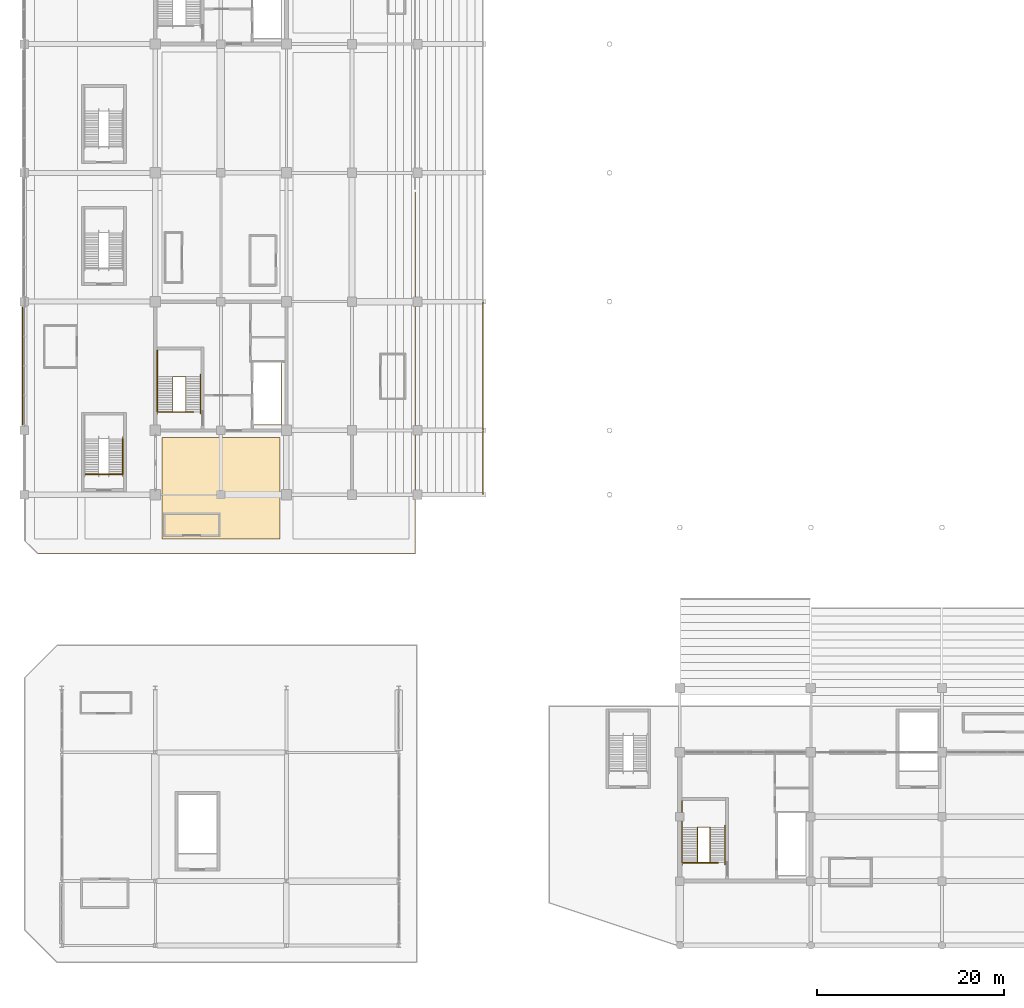
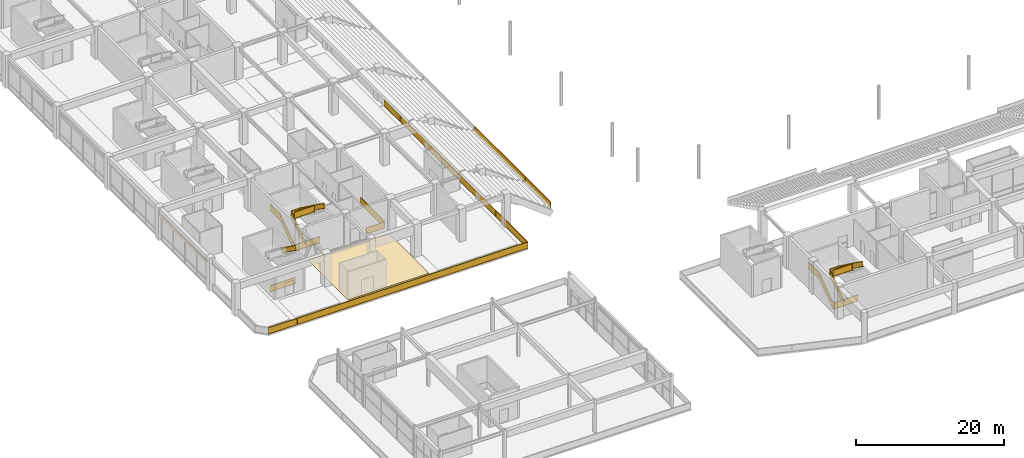
# One storey, part 104 of 117: 14 railings, 1 covering, 1 shading device.
"""IFC4 building model written with IfcOpenShell, lengths in metres."""

import ifcopenshell
import ifcopenshell.guid

model = None  # the IFC model being written
_history = None  # IfcOwnerHistory: only IFC2X3 demands one
_inside = {}  # id of a spatial element -> (the spatial element, [elements in it])
_under = {}  # id of a project, library or spatial element -> (it, [spatial elements below it])
_declared = {}  # id of a project -> (the project, [libraries it declares])
_typed = {}  # id of a type object -> (the type object, [elements of that type])
_made_of = {}  # id of a material, layer set ... -> (it, [elements and type objects made of it])


def new_model(schema):
    """Start an empty IFC model of exactly this schema.

    Asked for "IFC4X3", IfcOpenShell would pick the latest addendum, in which some entities
    have other attributes; the version numbers below select the first issue.
    IFC2X3 requires an IfcOwnerHistory on every rooted entity: one is made here for all.
    """
    global model, _history
    if schema == "IFC4X3":
        model = ifcopenshell.file(schema_version=(4, 3, 0, 0))
    else:
        model = ifcopenshell.file(schema=schema)
    _inside.clear()
    _under.clear()
    _declared.clear()
    _typed.clear()
    _made_of.clear()
    _history = None
    if model.schema == "IFC2X3":
        org = make("IfcOrganization", Name="unknown")
        user = make(
            "IfcPersonAndOrganization",
            ThePerson=make("IfcPerson", FamilyName="unknown"),
            TheOrganization=org,
        )
        app = make(
            "IfcApplication",
            ApplicationDeveloper=org,
            Version="unknown",
            ApplicationFullName="unknown",
            ApplicationIdentifier="unknown",
        )
        _history = make(
            "IfcOwnerHistory",
            OwningUser=user,
            OwningApplication=app,
            ChangeAction="ADDED",
            CreationDate=0,
        )
    return model


def make(cls, **values):
    """One entity of the class cls with the attributes given. An attribute that is None is left unset."""
    return model.create_entity(
        cls, **{name: value for name, value in values.items() if value is not None}
    )


def rooted(cls, **values):
    """An entity with a GlobalId (a new one), such as an element, a storey or a relation."""
    return make(cls, GlobalId=ifcopenshell.guid.new(), OwnerHistory=_history, **values)


def si_unit(unit_type, name, prefix=None):
    """IfcSIUnit, for example si_unit("LENGTHUNIT", "METRE", prefix="MILLI")."""
    return make("IfcSIUnit", UnitType=unit_type, Prefix=prefix, Name=name)


def assignment(units):
    """IfcUnitAssignment: the units of a project."""
    return None if units is None else make("IfcUnitAssignment", Units=units)


def point(xyz):
    """IfcCartesianPoint."""
    return None if xyz is None else make("IfcCartesianPoint", Coordinates=xyz)


def direction(xyz):
    """IfcDirection."""
    return None if xyz is None else make("IfcDirection", DirectionRatios=xyz)


def frame(location, z_axis=None, x_axis=None):
    """IfcAxis2Placement3D, a coordinate frame: its origin and axes. An axis left out is left unset."""
    return make(
        "IfcAxis2Placement3D",
        Location=point(location),
        Axis=direction(z_axis),
        RefDirection=direction(x_axis),
    )


def frame_2d(location, x_axis=None):
    """IfcAxis2Placement2D, a coordinate frame in the plane: its origin and x axis."""
    return make(
        "IfcAxis2Placement2D", Location=point(location), RefDirection=direction(x_axis)
    )


def origin():
    """The frame at (0, 0, 0) with its axes left unset."""
    return frame((0.0, 0.0, 0.0))


def origin_2d():
    """The frame at (0, 0) in the plane with its x axis left unset."""
    return frame_2d((0.0, 0.0))


def place(relative_to, where):
    """IfcLocalPlacement: puts the frame where relative to a parent placement (None: the world)."""
    return make(
        "IfcLocalPlacement", PlacementRelTo=relative_to, RelativePlacement=where
    )


def context(
    kind, dimensions, precision=None, world=None, true_north=None, identifier=None
):
    """IfcGeometricRepresentationContext, for example the 3D "Model" context."""
    return make(
        "IfcGeometricRepresentationContext",
        ContextIdentifier=identifier,
        ContextType=kind,
        CoordinateSpaceDimension=dimensions,
        Precision=precision,
        WorldCoordinateSystem=world,
        TrueNorth=true_north,
    )


def subcontext(parent, identifier, kind, view, scale=None):
    """IfcGeometricRepresentationSubContext, for example "Body" below "Model"."""
    return make(
        "IfcGeometricRepresentationSubContext",
        ContextIdentifier=identifier,
        ContextType=kind,
        ParentContext=parent,
        TargetScale=scale,
        TargetView=view,
    )


def project(units=None, contexts=None):
    """IfcProject with its units and contexts."""
    return rooted(
        "IfcProject",
        Name="project",
        RepresentationContexts=contexts,
        UnitsInContext=assignment(units),
    )


def spatial(cls, under=None, at=None, **own):
    """A site, building, storey or space (cls), placed at a placement, below another one or the project."""
    s = rooted(cls, ObjectPlacement=at, **own)
    if under is not None:
        _under.setdefault(under.id(), (under, []))[1].append(s)
    return s


def polyline(points):
    """IfcPolyline through the points."""
    return make("IfcPolyline", Points=[point(p) for p in points])


def profile(cls, at=None, kind="AREA", **sizes):
    """A parametric profile (cls). Its sizes go by their IFC names, for example OverallWidth=200.0."""
    return make(cls, ProfileType=kind, Position=at, **sizes)


def rectangle(**sizes):
    """IfcRectangleProfileDef."""
    return profile("IfcRectangleProfileDef", **sizes)


def outline(outer, holes=None, kind="AREA"):
    """IfcArbitraryClosedProfileDef: a profile drawn as a closed curve; with holes, ...WithVoids."""
    if holes is None:
        return make("IfcArbitraryClosedProfileDef", ProfileType=kind, OuterCurve=outer)
    return make(
        "IfcArbitraryProfileDefWithVoids",
        ProfileType=kind,
        OuterCurve=outer,
        InnerCurves=holes,
    )


def extrude(swept, where, along, depth):
    """IfcExtrudedAreaSolid: the profile swept, set in the frame where, extruded along a direction by depth."""
    return make(
        "IfcExtrudedAreaSolid",
        SweptArea=swept,
        Position=where,
        ExtrudedDirection=direction(along),
        Depth=depth,
    )


def shape(context_of_items, identifier, shape_type, items):
    """IfcShapeRepresentation: the items that make up one representation, for example the "Body"."""
    return make(
        "IfcShapeRepresentation",
        ContextOfItems=context_of_items,
        RepresentationIdentifier=identifier,
        RepresentationType=shape_type,
        Items=items,
    )


def material(Name=None, Category=None):
    """IfcMaterial."""
    return make("IfcMaterial", Name=Name, Category=Category)


def layer(
    of_material, thickness, ventilated=None, Name=None, Category=None, Priority=None
):
    """IfcMaterialLayer: one layer of a wall or slab, of a material (None: an air gap)."""
    return make(
        "IfcMaterialLayer",
        Material=of_material,
        LayerThickness=thickness,
        IsVentilated=ventilated,
        Name=Name,
        Category=Category,
        Priority=Priority,
    )


def layer_set(layers, Name=None):
    """IfcMaterialLayerSet."""
    return make("IfcMaterialLayerSet", MaterialLayers=layers, LayerSetName=Name)


def made_of(thing, what):
    """Note that an element or type object is made of a material, layer set ...; save() writes the relation."""
    if what is not None:
        _made_of.setdefault(what.id(), (what, []))[1].append(thing)
    return thing


def type_object(cls, material=None, **own):
    """A type object (cls), such as IfcWallType, which elements share."""
    return made_of(rooted(cls, **own), material)


def element(
    cls,
    number,
    at=None,
    inside=None,
    cuts=None,
    type_object=None,
    material=None,
    context=None,
    identifier="Body",
    shape_type=None,
    held_by="IfcProductDefinitionShape",
    body=None,
    shapes=None,
    **own,
):
    """One element of the class cls, such as IfcWall. Its Tag is "e" and its number.

    at: its placement. inside: the storey or other place that contains it. cuts: it is an
    opening in that element (IfcRelVoidsElement). A single representation is given by context,
    identifier, shape_type and body (its items); several are given by shapes. held_by: the class
    of the entity that holds the representations. save() writes the other relations.
    """
    e = rooted(cls, Tag="e%d" % number, ObjectPlacement=at, **own)
    if body is not None:
        shapes = [shape(context, identifier, shape_type, body)]
    if shapes is not None:
        e.Representation = make(held_by, Representations=shapes)
    if inside is not None:
        _inside.setdefault(inside.id(), (inside, []))[1].append(e)
    if cuts is not None:
        rooted(
            "IfcRelVoidsElement", RelatingBuildingElement=cuts, RelatedOpeningElement=e
        )
    if type_object is not None:
        _typed.setdefault(type_object.id(), (type_object, []))[1].append(e)
    return made_of(e, material)


def aggregate(whole, parts):
    """IfcRelAggregates: a whole, such as a stair, and the parts it consists of."""
    return rooted("IfcRelAggregates", RelatingObject=whole, RelatedObjects=parts)


def save(model, path):
    """Write the relations noted so far, then the file.

    IfcRelAggregates (storeys below a building ...), IfcRelContainedInSpatialStructure (elements
    in a storey), IfcRelDefinesByType, IfcRelAssociatesMaterial and IfcRelDeclares: one each for
    every whole, place, type object, material and project.
    """
    for whole, parts in _under.values():
        aggregate(whole, parts)
    for where, things in _inside.values():
        rooted(
            "IfcRelContainedInSpatialStructure",
            RelatedElements=things,
            RelatingStructure=where,
        )
    for kind, things in _typed.values():
        rooted("IfcRelDefinesByType", RelatedObjects=things, RelatingType=kind)
    for what, things in _made_of.values():
        rooted("IfcRelAssociatesMaterial", RelatedObjects=things, RelatingMaterial=what)
    for by, libraries in _declared.values():
        rooted("IfcRelDeclares", RelatingContext=by, RelatedDefinitions=libraries)
    model.write(path)


model = new_model("IFC4")

# Units and contexts
model_context = context("Model", 3, precision=1e-05, world=origin(), true_north=direction((0.0, 1.0)))
body_context = subcontext(model_context, "Body", "Model", "MODEL_VIEW")
ifc_project = project(units=[si_unit("LENGTHUNIT", "METRE"), si_unit("AREAUNIT", "SQUARE_METRE"), si_unit("VOLUMEUNIT", "CUBIC_METRE"), si_unit("PLANEANGLEUNIT", "RADIAN"), si_unit("MASSUNIT", "GRAM", prefix="KILO")], contexts=[model_context])

# Site, building, storey
site_placement = place(None, origin())
site = spatial("IfcSite", under=ifc_project, at=site_placement, CompositionType="ELEMENT")
building_placement = place(site_placement, origin())
building = spatial("IfcBuilding", under=site, at=building_placement, Name="Linyun Crest Stadium", CompositionType="ELEMENT")
storey_placement = place(building_placement, frame((0.0, 0.0, 6.0)))
storey = spatial("IfcBuildingStorey", under=building, at=storey_placement, Name="L02", CompositionType="ELEMENT", Elevation=6.0)

# Covering
ifc_material_1 = material(Name="Terrazzo concourse and hospitality floor finish")
ifc_layer_1 = layer(ifc_material_1, 0.02197265625)
ifc_layer_set_1 = layer_set([ifc_layer_1], Name="Terrazzo concourse and hospitality floor finish")
covering_type = type_object("IfcCoveringType", Name="FLR02", PredefinedType="FLOORING", material=ifc_layer_set_1)
covering_placement = place(storey_placement, origin())
element("IfcCovering", 1, at=covering_placement, inside=storey, type_object=covering_type, Name="Terrazzo flooring FLR02 21", PredefinedType="FLOORING", context=body_context, shape_type="SweptSolid", body=[
    extrude(outline(polyline([(-83.300048828125, -50.699951171875), (-70.699951171875, -50.699951171875), (-70.699951171875, -39.89990234375), (-83.300048828125, -39.89990234375), (-83.300048828125, -50.699951171875)])), origin(), (0.0, 0.0, 1.0), 0.02197265625),
])

# Railings
ifc_material_2 = material(Name="Galvanized and powder-coated steel bowl safety barrier", Category="steel")
railing_type_1 = type_object("IfcRailingType", Name="GR02", PredefinedType="GUARDRAIL", material=ifc_material_2)
railing_1_placement = place(storey_placement, frame((-49.0, -45.919921875, 0.199951171875)))
element("IfcRailing", 2, at=railing_1_placement, inside=storey, type_object=railing_type_1, Name="Bowl front safety guard GR02 2", PredefinedType="GUARDRAIL", context=body_context, shape_type="SweptSolid", body=[
    extrude(rectangle(XDim=0.06005859375, YDim=0.06005859375, at=origin_2d()), frame((0.0, 0.0, 1.090087890625), z_axis=(0.0, 1.0, 0.0), x_axis=(-1.0, 0.0, 0.0)), (0.0, 0.0, 1.0), 6.71484375),
    extrude(rectangle(XDim=0.030029296875, YDim=1.0, at=origin_2d()), frame((0.0, 0.0, 0.56005859375), z_axis=(0.0, 1.0, 0.0), x_axis=(-1.0, 0.0, 0.0)), (0.0, 0.0, 1.0), 6.71484375),
    extrude(rectangle(XDim=0.06005859375, YDim=0.06005859375, at=origin_2d()), frame((0.0, 0.0, 0.030029296875), z_axis=(0.0, 1.0, 0.0), x_axis=(-1.0, 0.0, 0.0)), (0.0, 0.0, 1.0), 6.71484375),
    extrude(rectangle(XDim=0.050048828125, YDim=0.050048828125, at=origin_2d()), origin(), (0.0, 0.0, 1.0), 1.1201171875),
    extrude(rectangle(XDim=0.050048828125, YDim=0.050048828125, at=origin_2d()), frame((0.0, 2.23828125, 0.0)), (0.0, 0.0, 1.0), 1.1201171875),
    extrude(rectangle(XDim=0.050048828125, YDim=0.050048828125, at=origin_2d()), frame((0.0, 4.4765625, 0.0)), (0.0, 0.0, 1.0), 1.1201171875),
    extrude(rectangle(XDim=0.050048828125, YDim=0.050048828125, at=origin_2d()), frame((0.0, 6.71484375, 0.0)), (0.0, 0.0, 1.0), 1.1201171875),
])
railing_2_placement = place(storey_placement, frame((-49.0, -39.044921875, 0.199951171875)))
element("IfcRailing", 3, at=railing_2_placement, inside=storey, type_object=railing_type_1, Name="Bowl front safety guard GR02 10", PredefinedType="GUARDRAIL", context=body_context, shape_type="SweptSolid", body=[
    extrude(rectangle(XDim=0.06005859375, YDim=0.06005859375, at=origin_2d()), frame((0.0, 0.0, 1.090087890625), z_axis=(0.0, 1.0, 0.0), x_axis=(-1.0, 0.0, 0.0)), (0.0, 0.0, 1.0), 13.58984375),
    extrude(rectangle(XDim=0.030029296875, YDim=1.0, at=origin_2d()), frame((0.0, 0.0, 0.56005859375), z_axis=(0.0, 1.0, 0.0), x_axis=(-1.0, 0.0, 0.0)), (0.0, 0.0, 1.0), 13.58984375),
    extrude(rectangle(XDim=0.06005859375, YDim=0.06005859375, at=origin_2d()), frame((0.0, 0.0, 0.030029296875), z_axis=(0.0, 1.0, 0.0), x_axis=(-1.0, 0.0, 0.0)), (0.0, 0.0, 1.0), 13.58984375),
    extrude(rectangle(XDim=0.050048828125, YDim=0.050048828125, at=origin_2d()), origin(), (0.0, 0.0, 1.0), 1.1201171875),
    extrude(rectangle(XDim=0.050048828125, YDim=0.050048828125, at=origin_2d()), frame((0.0, 2.264892578125, 0.0)), (0.0, 0.0, 1.0), 1.1201171875),
    extrude(rectangle(XDim=0.050048828125, YDim=0.050048828125, at=origin_2d()), frame((0.0, 4.530029296875, 0.0)), (0.0, 0.0, 1.0), 1.1201171875),
    extrude(rectangle(XDim=0.050048828125, YDim=0.050048828125, at=origin_2d()), frame((0.0, 6.794921875, 0.0)), (0.0, 0.0, 1.0), 1.1201171875),
    extrude(rectangle(XDim=0.050048828125, YDim=0.050048828125, at=origin_2d()), frame((0.0, 9.059814453125, 0.0)), (0.0, 0.0, 1.0), 1.1201171875),
    extrude(rectangle(XDim=0.050048828125, YDim=0.050048828125, at=origin_2d()), frame((0.0, 11.324951171875, 0.0)), (0.0, 0.0, 1.0), 1.1201171875),
    extrude(rectangle(XDim=0.050048828125, YDim=0.050048828125, at=origin_2d()), frame((0.0, 13.58984375, 0.0)), (0.0, 0.0, 1.0), 1.1201171875),
])
railing_3_placement = place(storey_placement, frame((-56.260009765625, -13.669921875, 0.0)))
element("IfcRailing", 4, at=railing_3_placement, inside=storey, type_object=railing_type_1, Name="Slab edge balustrade GR02 21", PredefinedType="GUARDRAIL", context=body_context, shape_type="SweptSolid", body=[
    extrude(rectangle(XDim=0.06005859375, YDim=0.06005859375, at=origin_2d()), frame((0.0, 0.0, 1.090087890625), z_axis=(0.0, -1.0, 0.0), x_axis=(1.0, 0.0, 0.0)), (0.0, 0.0, 1.0), 38.60498046875),
    extrude(rectangle(XDim=0.030029296875, YDim=1.0, at=origin_2d()), frame((0.0, 0.0, 0.56005859375), z_axis=(0.0, -1.0, 0.0), x_axis=(1.0, 0.0, 0.0)), (0.0, 0.0, 1.0), 38.60498046875),
    extrude(rectangle(XDim=0.06005859375, YDim=0.06005859375, at=origin_2d()), frame((0.0, 0.0, 0.030029296875), z_axis=(0.0, -1.0, 0.0), x_axis=(1.0, 0.0, 0.0)), (0.0, 0.0, 1.0), 38.60498046875),
    extrude(rectangle(XDim=0.06005859375, YDim=0.06005859375, at=origin_2d()), frame((0.0, -38.60498046875, 1.090087890625), z_axis=(-1.0, 0.0, 0.0), x_axis=(0.0, -1.0, 0.0)), (0.0, 0.0, 1.0), 40.31494140625),
    extrude(rectangle(XDim=0.030029296875, YDim=1.0, at=origin_2d()), frame((0.0, -38.60498046875, 0.56005859375), z_axis=(-1.0, 0.0, 0.0), x_axis=(0.0, -1.0, 0.0)), (0.0, 0.0, 1.0), 40.31494140625),
    extrude(rectangle(XDim=0.06005859375, YDim=0.06005859375, at=origin_2d()), frame((0.0, -38.60498046875, 0.030029296875), z_axis=(-1.0, 0.0, 0.0), x_axis=(0.0, -1.0, 0.0)), (0.0, 0.0, 1.0), 40.31494140625),
    extrude(rectangle(XDim=0.050048828125, YDim=0.050048828125, at=origin_2d()), origin(), (0.0, 0.0, 1.0), 1.1201171875),
    extrude(rectangle(XDim=0.050048828125, YDim=0.050048828125, at=origin_2d()), frame((0.0, -4.28955078125, 0.0)), (0.0, 0.0, 1.0), 1.1201171875),
    extrude(rectangle(XDim=0.050048828125, YDim=0.050048828125, at=origin_2d()), frame((0.0, -8.578857421875, 0.0)), (0.0, 0.0, 1.0), 1.1201171875),
    extrude(rectangle(XDim=0.050048828125, YDim=0.050048828125, at=origin_2d()), frame((0.0, -12.868408203125, 0.0)), (0.0, 0.0, 1.0), 1.1201171875),
    extrude(rectangle(XDim=0.050048828125, YDim=0.050048828125, at=origin_2d()), frame((0.0, -17.15771484375, 0.0)), (0.0, 0.0, 1.0), 1.1201171875),
    extrude(rectangle(XDim=0.050048828125, YDim=0.050048828125, at=origin_2d()), frame((0.0, -21.447265625, 0.0)), (0.0, 0.0, 1.0), 1.1201171875),
    extrude(rectangle(XDim=0.050048828125, YDim=0.050048828125, at=origin_2d()), frame((0.0, -25.736572265625, 0.0)), (0.0, 0.0, 1.0), 1.1201171875),
    extrude(rectangle(XDim=0.050048828125, YDim=0.050048828125, at=origin_2d()), frame((0.0, -30.026123046875, 0.0)), (0.0, 0.0, 1.0), 1.1201171875),
    extrude(rectangle(XDim=0.050048828125, YDim=0.050048828125, at=origin_2d()), frame((0.0, -34.3154296875, 0.0)), (0.0, 0.0, 1.0), 1.1201171875),
    extrude(rectangle(XDim=0.050048828125, YDim=0.050048828125, at=origin_2d()), frame((0.0, -38.60498046875, 0.0)), (0.0, 0.0, 1.0), 1.1201171875),
    extrude(rectangle(XDim=0.050048828125, YDim=0.050048828125, at=origin_2d()), frame((-4.4794921875, -38.60498046875, 0.0)), (0.0, 0.0, 1.0), 1.1201171875),
    extrude(rectangle(XDim=0.050048828125, YDim=0.050048828125, at=origin_2d()), frame((-8.958984375, -38.60498046875, 0.0)), (0.0, 0.0, 1.0), 1.1201171875),
    extrude(rectangle(XDim=0.050048828125, YDim=0.050048828125, at=origin_2d()), frame((-13.438232421875, -38.60498046875, 0.0)), (0.0, 0.0, 1.0), 1.1201171875),
    extrude(rectangle(XDim=0.050048828125, YDim=0.050048828125, at=origin_2d()), frame((-17.917724609375, -38.60498046875, 0.0)), (0.0, 0.0, 1.0), 1.1201171875),
    extrude(rectangle(XDim=0.050048828125, YDim=0.050048828125, at=origin_2d()), frame((-22.397216796875, -38.60498046875, 0.0)), (0.0, 0.0, 1.0), 1.1201171875),
    extrude(rectangle(XDim=0.050048828125, YDim=0.050048828125, at=origin_2d()), frame((-26.876708984375, -38.60498046875, 0.0)), (0.0, 0.0, 1.0), 1.1201171875),
    extrude(rectangle(XDim=0.050048828125, YDim=0.050048828125, at=origin_2d()), frame((-31.35595703125, -38.60498046875, 0.0)), (0.0, 0.0, 1.0), 1.1201171875),
    extrude(rectangle(XDim=0.050048828125, YDim=0.050048828125, at=origin_2d()), frame((-35.83544921875, -38.60498046875, 0.0)), (0.0, 0.0, 1.0), 1.1201171875),
    extrude(rectangle(XDim=0.050048828125, YDim=0.050048828125, at=origin_2d()), frame((-40.31494140625, -38.60498046875, 0.0)), (0.0, 0.0, 1.0), 1.1201171875),
])
railing_4_placement = place(storey_placement, frame((-73.419921875, -38.534912109375, 0.0)))
element("IfcRailing", 5, at=railing_4_placement, inside=storey, type_object=railing_type_1, Name="Slab edge balustrade GR02 22", PredefinedType="GUARDRAIL", context=body_context, shape_type="SweptSolid", body=[
    extrude(rectangle(XDim=0.06005859375, YDim=0.06005859375, at=origin_2d()), frame((0.0, 0.0, 1.090087890625), z_axis=(1.0, 0.0, 0.0), x_axis=(0.0, 1.0, 0.0)), (0.0, 0.0, 1.0), 2.8798828125),
    extrude(rectangle(XDim=0.030029296875, YDim=1.0, at=origin_2d()), frame((0.0, 0.0, 0.56005859375), z_axis=(1.0, 0.0, 0.0), x_axis=(0.0, 1.0, 0.0)), (0.0, 0.0, 1.0), 2.8798828125),
    extrude(rectangle(XDim=0.06005859375, YDim=0.06005859375, at=origin_2d()), frame((0.0, 0.0, 0.030029296875), z_axis=(1.0, 0.0, 0.0), x_axis=(0.0, 1.0, 0.0)), (0.0, 0.0, 1.0), 2.8798828125),
    extrude(rectangle(XDim=0.06005859375, YDim=0.06005859375, at=origin_2d()), frame((2.8798828125, 0.0, 1.090087890625), z_axis=(0.0, 1.0, 0.0), x_axis=(-1.0, 0.0, 0.0)), (0.0, 0.0, 1.0), 6.5498046875),
    extrude(rectangle(XDim=0.030029296875, YDim=1.0, at=origin_2d()), frame((2.8798828125, 0.0, 0.56005859375), z_axis=(0.0, 1.0, 0.0), x_axis=(-1.0, 0.0, 0.0)), (0.0, 0.0, 1.0), 6.5498046875),
    extrude(rectangle(XDim=0.06005859375, YDim=0.06005859375, at=origin_2d()), frame((2.8798828125, 0.0, 0.030029296875), z_axis=(0.0, 1.0, 0.0), x_axis=(-1.0, 0.0, 0.0)), (0.0, 0.0, 1.0), 6.5498046875),
    extrude(rectangle(XDim=0.050048828125, YDim=0.050048828125, at=origin_2d()), origin(), (0.0, 0.0, 1.0), 1.1201171875),
    extrude(rectangle(XDim=0.050048828125, YDim=0.050048828125, at=origin_2d()), frame((2.8798828125, 0.0, 0.0)), (0.0, 0.0, 1.0), 1.1201171875),
    extrude(rectangle(XDim=0.050048828125, YDim=0.050048828125, at=origin_2d()), frame((2.8798828125, 3.27490234375, 0.0)), (0.0, 0.0, 1.0), 1.1201171875),
    extrude(rectangle(XDim=0.050048828125, YDim=0.050048828125, at=origin_2d()), frame((2.8798828125, 6.5498046875, 0.0)), (0.0, 0.0, 1.0), 1.1201171875),
])
railing_5_placement = place(storey_placement, frame((-83.68505859375, -37.1650390625, 0.0)))
element("IfcRailing", 6, at=railing_5_placement, inside=storey, type_object=railing_type_1, Name="Slab edge balustrade GR02 23", PredefinedType="GUARDRAIL", context=body_context, shape_type="SweptSolid", body=[
    extrude(rectangle(XDim=0.06005859375, YDim=0.06005859375, at=origin_2d()), frame((0.0, 0.0, 1.090087890625), z_axis=(1.0, 0.0, 0.0), x_axis=(0.0, 1.0, 0.0)), (0.0, 0.0, 1.0), 3.78515625),
    extrude(rectangle(XDim=0.030029296875, YDim=1.0, at=origin_2d()), frame((0.0, 0.0, 0.56005859375), z_axis=(1.0, 0.0, 0.0), x_axis=(0.0, 1.0, 0.0)), (0.0, 0.0, 1.0), 3.78515625),
    extrude(rectangle(XDim=0.06005859375, YDim=0.06005859375, at=origin_2d()), frame((0.0, 0.0, 0.030029296875), z_axis=(1.0, 0.0, 0.0), x_axis=(0.0, 1.0, 0.0)), (0.0, 0.0, 1.0), 3.78515625),
    extrude(rectangle(XDim=0.050048828125, YDim=0.050048828125, at=origin_2d()), origin(), (0.0, 0.0, 1.0), 1.1201171875),
    extrude(rectangle(XDim=0.050048828125, YDim=0.050048828125, at=origin_2d()), frame((3.78515625, 0.0, 0.0)), (0.0, 0.0, 1.0), 1.1201171875),
])
railing_6_placement = place(storey_placement, frame((-91.4599609375, -43.81005859375, 0.0)))
element("IfcRailing", 7, at=railing_6_placement, inside=storey, type_object=railing_type_1, Name="Slab edge balustrade GR02 24", PredefinedType="GUARDRAIL", context=body_context, shape_type="SweptSolid", body=[
    extrude(rectangle(XDim=0.06005859375, YDim=0.06005859375, at=origin_2d()), frame((0.0, 0.0, 1.090087890625), z_axis=(1.0, 0.0, 0.0), x_axis=(0.0, 1.0, 0.0)), (0.0, 0.0, 1.0), 3.919921875),
    extrude(rectangle(XDim=0.030029296875, YDim=1.0, at=origin_2d()), frame((0.0, 0.0, 0.56005859375), z_axis=(1.0, 0.0, 0.0), x_axis=(0.0, 1.0, 0.0)), (0.0, 0.0, 1.0), 3.919921875),
    extrude(rectangle(XDim=0.06005859375, YDim=0.06005859375, at=origin_2d()), frame((0.0, 0.0, 0.030029296875), z_axis=(1.0, 0.0, 0.0), x_axis=(0.0, 1.0, 0.0)), (0.0, 0.0, 1.0), 3.919921875),
    extrude(rectangle(XDim=0.050048828125, YDim=0.050048828125, at=origin_2d()), origin(), (0.0, 0.0, 1.0), 1.1201171875),
    extrude(rectangle(XDim=0.050048828125, YDim=0.050048828125, at=origin_2d()), frame((3.919921875, 0.0, 0.0)), (0.0, 0.0, 1.0), 1.1201171875),
])
railing_7_placement = place(storey_placement, frame((-27.635009765625, -85.2900390625, 0.0)))
element("IfcRailing", 8, at=railing_7_placement, inside=storey, type_object=railing_type_1, Name="Slab edge balustrade GR02 259", PredefinedType="GUARDRAIL", context=body_context, shape_type="SweptSolid", body=[
    extrude(rectangle(XDim=0.06005859375, YDim=0.06005859375, at=origin_2d()), frame((0.0, 0.0, 1.090087890625), z_axis=(1.0, 0.0, 0.0), x_axis=(0.0, 1.0, 0.0)), (0.0, 0.0, 1.0), 3.735107421875),
    extrude(rectangle(XDim=0.030029296875, YDim=1.0, at=origin_2d()), frame((0.0, 0.0, 0.56005859375), z_axis=(1.0, 0.0, 0.0), x_axis=(0.0, 1.0, 0.0)), (0.0, 0.0, 1.0), 3.735107421875),
    extrude(rectangle(XDim=0.06005859375, YDim=0.06005859375, at=origin_2d()), frame((0.0, 0.0, 0.030029296875), z_axis=(1.0, 0.0, 0.0), x_axis=(0.0, 1.0, 0.0)), (0.0, 0.0, 1.0), 3.735107421875),
    extrude(rectangle(XDim=0.050048828125, YDim=0.050048828125, at=origin_2d()), origin(), (0.0, 0.0, 1.0), 1.1201171875),
    extrude(rectangle(XDim=0.050048828125, YDim=0.050048828125, at=origin_2d()), frame((3.735107421875, 0.0, 0.0)), (0.0, 0.0, 1.0), 1.1201171875),
])
ifc_material_3 = material(Name="Painted steel stairwell safety guard", Category="steel")
railing_type_2 = type_object("IfcRailingType", Name="GR03", PredefinedType="GUARDRAIL", material=ifc_material_3)
railing_8_placement = place(storey_placement, frame((-83.794921875, -37.135009765625, 0.0)))
element("IfcRailing", 9, at=railing_8_placement, inside=storey, type_object=railing_type_2, Name="STR-01-L02 outer guard", PredefinedType="GUARDRAIL", context=body_context, shape_type="SweptSolid", body=[
    extrude(rectangle(XDim=0.06005859375, YDim=0.06005859375, at=origin_2d()), frame((0.0, 0.0, 1.090087890625), z_axis=(0.0, 0.811539352079, 0.584297766578), x_axis=(-1.0, 0.0, 0.0)), (0.0, 0.0, 1.0), 4.620849609375),
    extrude(rectangle(XDim=0.030029296875, YDim=1.0, at=origin_2d()), frame((0.0, 0.0, 0.56005859375), z_axis=(0.0, 0.811539352079, 0.584297766578), x_axis=(-1.0, 0.0, 0.0)), (0.0, 0.0, 1.0), 4.620849609375),
    extrude(rectangle(XDim=0.06005859375, YDim=0.06005859375, at=origin_2d()), frame((0.0, 0.0, 0.030029296875), z_axis=(0.0, 0.811539352079, 0.584297766578), x_axis=(-1.0, 0.0, 0.0)), (0.0, 0.0, 1.0), 4.620849609375),
    extrude(rectangle(XDim=0.06005859375, YDim=0.06005859375, at=origin_2d()), frame((0.0, 3.75, 3.7900390625), z_axis=(0.0, 1.0, 0.0), x_axis=(-1.0, 0.0, 0.0)), (0.0, 0.0, 1.0), 2.830078125),
    extrude(rectangle(XDim=0.030029296875, YDim=1.0, at=origin_2d()), frame((0.0, 3.75, 3.260009765625), z_axis=(0.0, 1.0, 0.0), x_axis=(-1.0, 0.0, 0.0)), (0.0, 0.0, 1.0), 2.830078125),
    extrude(rectangle(XDim=0.06005859375, YDim=0.06005859375, at=origin_2d()), frame((0.0, 3.75, 2.72998046875), z_axis=(0.0, 1.0, 0.0), x_axis=(-1.0, 0.0, 0.0)), (0.0, 0.0, 1.0), 2.830078125),
    extrude(rectangle(XDim=0.050048828125, YDim=0.050048828125, at=origin_2d()), origin(), (0.0, 0.0, 1.0), 1.1201171875),
    extrude(rectangle(XDim=0.050048828125, YDim=0.050048828125, at=origin_2d()), frame((0.0, 1.25, 0.89990234375)), (0.0, 0.0, 1.0), 1.1201171875),
    extrude(rectangle(XDim=0.050048828125, YDim=0.050048828125, at=origin_2d()), frame((0.0, 2.5, 1.800048828125)), (0.0, 0.0, 1.0), 1.1201171875),
    extrude(rectangle(XDim=0.050048828125, YDim=0.050048828125, at=origin_2d()), frame((0.0, 3.75, 2.699951171875)), (0.0, 0.0, 1.0), 1.1201171875),
    extrude(rectangle(XDim=0.050048828125, YDim=0.050048828125, at=origin_2d()), frame((0.0, 5.1650390625, 2.699951171875)), (0.0, 0.0, 1.0), 1.1201171875),
    extrude(rectangle(XDim=0.050048828125, YDim=0.050048828125, at=origin_2d()), frame((0.0, 6.580078125, 2.699951171875)), (0.0, 0.0, 1.0), 1.1201171875),
])
railing_9_placement = place(storey_placement, frame((-82.155029296875, -37.155029296875, 0.0)))
element("IfcRailing", 10, at=railing_9_placement, inside=storey, type_object=railing_type_2, Name="STR-01-L02 inner well guard", PredefinedType="GUARDRAIL", context=body_context, shape_type="SweptSolid", body=[
    extrude(rectangle(XDim=0.06005859375, YDim=0.06005859375, at=origin_2d()), frame((0.0, 0.0, 1.090087890625), z_axis=(0.0, 0.813010693788, 0.582248754216), x_axis=(-1.0, 0.0, 0.0)), (0.0, 0.0, 1.0), 4.63720703125),
    extrude(rectangle(XDim=0.030029296875, YDim=1.0, at=origin_2d()), frame((0.0, 0.0, 0.56005859375), z_axis=(0.0, 0.813010693788, 0.582248754216), x_axis=(-1.0, 0.0, 0.0)), (0.0, 0.0, 1.0), 4.63720703125),
    extrude(rectangle(XDim=0.06005859375, YDim=0.06005859375, at=origin_2d()), frame((0.0, 0.0, 0.030029296875), z_axis=(0.0, 0.813010693788, 0.582248754216), x_axis=(-1.0, 0.0, 0.0)), (0.0, 0.0, 1.0), 4.63720703125),
    extrude(rectangle(XDim=0.06005859375, YDim=0.06005859375, at=origin_2d()), frame((0.0, 3.77001953125, 3.7900390625), z_axis=(1.0, 0.0, 0.0), x_axis=(0.0, 1.0, 0.0)), (0.0, 0.0, 1.0), 1.385009765625),
    extrude(rectangle(XDim=0.030029296875, YDim=1.0, at=origin_2d()), frame((0.0, 3.77001953125, 3.260009765625), z_axis=(1.0, 0.0, 0.0), x_axis=(0.0, 1.0, 0.0)), (0.0, 0.0, 1.0), 1.385009765625),
    extrude(rectangle(XDim=0.06005859375, YDim=0.06005859375, at=origin_2d()), frame((0.0, 3.77001953125, 2.72998046875), z_axis=(1.0, 0.0, 0.0), x_axis=(0.0, 1.0, 0.0)), (0.0, 0.0, 1.0), 1.385009765625),
    extrude(rectangle(XDim=0.06005859375, YDim=0.06005859375, at=origin_2d()), frame((1.385009765625, 3.77001953125, 3.7900390625), z_axis=(0.0, -0.813010693788, 0.582248754216), x_axis=(1.0, 0.0, 0.0)), (0.0, 0.0, 1.0), 4.63720703125),
    extrude(rectangle(XDim=0.030029296875, YDim=1.0, at=origin_2d()), frame((1.385009765625, 3.77001953125, 3.260009765625), z_axis=(0.0, -0.813010693788, 0.582248754216), x_axis=(1.0, 0.0, 0.0)), (0.0, 0.0, 1.0), 4.63720703125),
    extrude(rectangle(XDim=0.06005859375, YDim=0.06005859375, at=origin_2d()), frame((1.385009765625, 3.77001953125, 2.72998046875), z_axis=(0.0, -0.813010693788, 0.582248754216), x_axis=(1.0, 0.0, 0.0)), (0.0, 0.0, 1.0), 4.63720703125),
    extrude(rectangle(XDim=0.06005859375, YDim=0.06005859375, at=origin_2d()), frame((1.385009765625, 0.0, 6.489990234375), z_axis=(-1.0, 0.0, 0.0), x_axis=(0.0, -1.0, 0.0)), (0.0, 0.0, 1.0), 3.034912109375),
    extrude(rectangle(XDim=0.030029296875, YDim=1.0, at=origin_2d()), frame((1.385009765625, 0.0, 5.9599609375), z_axis=(-1.0, 0.0, 0.0), x_axis=(0.0, -1.0, 0.0)), (0.0, 0.0, 1.0), 3.034912109375),
    extrude(rectangle(XDim=0.06005859375, YDim=0.06005859375, at=origin_2d()), frame((1.385009765625, 0.0, 5.429931640625), z_axis=(-1.0, 0.0, 0.0), x_axis=(0.0, -1.0, 0.0)), (0.0, 0.0, 1.0), 3.034912109375),
    extrude(rectangle(XDim=0.050048828125, YDim=0.050048828125, at=origin_2d()), origin(), (0.0, 0.0, 1.0), 1.1201171875),
    extrude(rectangle(XDim=0.050048828125, YDim=0.050048828125, at=origin_2d()), frame((0.0, 1.256591796875, 0.89990234375)), (0.0, 0.0, 1.0), 1.1201171875),
    extrude(rectangle(XDim=0.050048828125, YDim=0.050048828125, at=origin_2d()), frame((0.0, 2.513427734375, 1.800048828125)), (0.0, 0.0, 1.0), 1.1201171875),
    extrude(rectangle(XDim=0.050048828125, YDim=0.050048828125, at=origin_2d()), frame((0.0, 3.77001953125, 2.699951171875)), (0.0, 0.0, 1.0), 1.1201171875),
    extrude(rectangle(XDim=0.050048828125, YDim=0.050048828125, at=origin_2d()), frame((1.385009765625, 3.77001953125, 2.699951171875)), (0.0, 0.0, 1.0), 1.1201171875),
    extrude(rectangle(XDim=0.050048828125, YDim=0.050048828125, at=origin_2d()), frame((1.385009765625, 2.513427734375, 3.599853515625)), (0.0, 0.0, 1.0), 1.1201171875),
    extrude(rectangle(XDim=0.050048828125, YDim=0.050048828125, at=origin_2d()), frame((1.385009765625, 1.256591796875, 4.5)), (0.0, 0.0, 1.0), 1.1201171875),
    extrude(rectangle(XDim=0.050048828125, YDim=0.050048828125, at=origin_2d()), frame((1.385009765625, 0.0, 5.39990234375)), (0.0, 0.0, 1.0), 1.1201171875),
    extrude(rectangle(XDim=0.050048828125, YDim=0.050048828125, at=origin_2d()), frame((-0.13232421875, 0.0, 5.39990234375)), (0.0, 0.0, 1.0), 1.1201171875),
    extrude(rectangle(XDim=0.050048828125, YDim=0.050048828125, at=origin_2d()), frame((-1.64990234375, 0.0, 5.39990234375)), (0.0, 0.0, 1.0), 1.1201171875),
])
railing_10_placement = place(storey_placement, frame((-27.7451171875, -85.260009765625, 0.0)))
element("IfcRailing", 11, at=railing_10_placement, inside=storey, type_object=railing_type_2, Name="STR-09-L02 outer guard", PredefinedType="GUARDRAIL", context=body_context, shape_type="SweptSolid", body=[
    extrude(rectangle(XDim=0.06005859375, YDim=0.06005859375, at=origin_2d()), frame((0.0, 0.0, 1.090087890625), z_axis=(0.0, 0.811539352079, 0.584297766578), x_axis=(-1.0, 0.0, 0.0)), (0.0, 0.0, 1.0), 4.620849609375),
    extrude(rectangle(XDim=0.030029296875, YDim=1.0, at=origin_2d()), frame((0.0, 0.0, 0.56005859375), z_axis=(0.0, 0.811539352079, 0.584297766578), x_axis=(-1.0, 0.0, 0.0)), (0.0, 0.0, 1.0), 4.620849609375),
    extrude(rectangle(XDim=0.06005859375, YDim=0.06005859375, at=origin_2d()), frame((0.0, 0.0, 0.030029296875), z_axis=(0.0, 0.811539352079, 0.584297766578), x_axis=(-1.0, 0.0, 0.0)), (0.0, 0.0, 1.0), 4.620849609375),
    extrude(rectangle(XDim=0.06005859375, YDim=0.06005859375, at=origin_2d()), frame((0.0, 3.75, 3.7900390625), z_axis=(0.0, 1.0, 0.0), x_axis=(-1.0, 0.0, 0.0)), (0.0, 0.0, 1.0), 2.830078125),
    extrude(rectangle(XDim=0.030029296875, YDim=1.0, at=origin_2d()), frame((0.0, 3.75, 3.260009765625), z_axis=(0.0, 1.0, 0.0), x_axis=(-1.0, 0.0, 0.0)), (0.0, 0.0, 1.0), 2.830078125),
    extrude(rectangle(XDim=0.06005859375, YDim=0.06005859375, at=origin_2d()), frame((0.0, 3.75, 2.72998046875), z_axis=(0.0, 1.0, 0.0), x_axis=(-1.0, 0.0, 0.0)), (0.0, 0.0, 1.0), 2.830078125),
    extrude(rectangle(XDim=0.050048828125, YDim=0.050048828125, at=origin_2d()), origin(), (0.0, 0.0, 1.0), 1.1201171875),
    extrude(rectangle(XDim=0.050048828125, YDim=0.050048828125, at=origin_2d()), frame((0.0, 1.25, 0.89990234375)), (0.0, 0.0, 1.0), 1.1201171875),
    extrude(rectangle(XDim=0.050048828125, YDim=0.050048828125, at=origin_2d()), frame((0.0, 2.5, 1.800048828125)), (0.0, 0.0, 1.0), 1.1201171875),
    extrude(rectangle(XDim=0.050048828125, YDim=0.050048828125, at=origin_2d()), frame((0.0, 3.75, 2.699951171875)), (0.0, 0.0, 1.0), 1.1201171875),
    extrude(rectangle(XDim=0.050048828125, YDim=0.050048828125, at=origin_2d()), frame((0.0, 5.1650390625, 2.699951171875)), (0.0, 0.0, 1.0), 1.1201171875),
    extrude(rectangle(XDim=0.050048828125, YDim=0.050048828125, at=origin_2d()), frame((0.0, 6.580078125, 2.699951171875)), (0.0, 0.0, 1.0), 1.1201171875),
])
railing_11_placement = place(storey_placement, frame((-26.10498046875, -85.280029296875, 0.0)))
element("IfcRailing", 12, at=railing_11_placement, inside=storey, type_object=railing_type_2, Name="STR-09-L02 inner well guard", PredefinedType="GUARDRAIL", context=body_context, shape_type="SweptSolid", body=[
    extrude(rectangle(XDim=0.06005859375, YDim=0.06005859375, at=origin_2d()), frame((0.0, 0.0, 1.090087890625), z_axis=(0.0, 0.813010693788, 0.582248754216), x_axis=(-1.0, 0.0, 0.0)), (0.0, 0.0, 1.0), 4.63720703125),
    extrude(rectangle(XDim=0.030029296875, YDim=1.0, at=origin_2d()), frame((0.0, 0.0, 0.56005859375), z_axis=(0.0, 0.813010693788, 0.582248754216), x_axis=(-1.0, 0.0, 0.0)), (0.0, 0.0, 1.0), 4.63720703125),
    extrude(rectangle(XDim=0.06005859375, YDim=0.06005859375, at=origin_2d()), frame((0.0, 0.0, 0.030029296875), z_axis=(0.0, 0.813010693788, 0.582248754216), x_axis=(-1.0, 0.0, 0.0)), (0.0, 0.0, 1.0), 4.63720703125),
    extrude(rectangle(XDim=0.06005859375, YDim=0.06005859375, at=origin_2d()), frame((0.0, 3.77001953125, 3.7900390625), z_axis=(1.0, 0.0, 0.0), x_axis=(0.0, 1.0, 0.0)), (0.0, 0.0, 1.0), 1.3349609375),
    extrude(rectangle(XDim=0.030029296875, YDim=1.0, at=origin_2d()), frame((0.0, 3.77001953125, 3.260009765625), z_axis=(1.0, 0.0, 0.0), x_axis=(0.0, 1.0, 0.0)), (0.0, 0.0, 1.0), 1.3349609375),
    extrude(rectangle(XDim=0.06005859375, YDim=0.06005859375, at=origin_2d()), frame((0.0, 3.77001953125, 2.72998046875), z_axis=(1.0, 0.0, 0.0), x_axis=(0.0, 1.0, 0.0)), (0.0, 0.0, 1.0), 1.3349609375),
    extrude(rectangle(XDim=0.06005859375, YDim=0.06005859375, at=origin_2d()), frame((1.3349609375, 3.77001953125, 3.7900390625), z_axis=(0.0, -0.813010693788, 0.582248754216), x_axis=(1.0, 0.0, 0.0)), (0.0, 0.0, 1.0), 4.63720703125),
    extrude(rectangle(XDim=0.030029296875, YDim=1.0, at=origin_2d()), frame((1.3349609375, 3.77001953125, 3.260009765625), z_axis=(0.0, -0.813010693788, 0.582248754216), x_axis=(1.0, 0.0, 0.0)), (0.0, 0.0, 1.0), 4.63720703125),
    extrude(rectangle(XDim=0.06005859375, YDim=0.06005859375, at=origin_2d()), frame((1.3349609375, 3.77001953125, 2.72998046875), z_axis=(0.0, -0.813010693788, 0.582248754216), x_axis=(1.0, 0.0, 0.0)), (0.0, 0.0, 1.0), 4.63720703125),
    extrude(rectangle(XDim=0.06005859375, YDim=0.06005859375, at=origin_2d()), frame((1.3349609375, 0.0, 6.489990234375), z_axis=(-1.0, 0.0, 0.0), x_axis=(0.0, -1.0, 0.0)), (0.0, 0.0, 1.0), 2.98486328125),
    extrude(rectangle(XDim=0.030029296875, YDim=1.0, at=origin_2d()), frame((1.3349609375, 0.0, 5.9599609375), z_axis=(-1.0, 0.0, 0.0), x_axis=(0.0, -1.0, 0.0)), (0.0, 0.0, 1.0), 2.98486328125),
    extrude(rectangle(XDim=0.06005859375, YDim=0.06005859375, at=origin_2d()), frame((1.3349609375, 0.0, 5.429931640625), z_axis=(-1.0, 0.0, 0.0), x_axis=(0.0, -1.0, 0.0)), (0.0, 0.0, 1.0), 2.98486328125),
    extrude(rectangle(XDim=0.050048828125, YDim=0.050048828125, at=origin_2d()), origin(), (0.0, 0.0, 1.0), 1.1201171875),
    extrude(rectangle(XDim=0.050048828125, YDim=0.050048828125, at=origin_2d()), frame((0.0, 1.256591796875, 0.89990234375)), (0.0, 0.0, 1.0), 1.1201171875),
    extrude(rectangle(XDim=0.050048828125, YDim=0.050048828125, at=origin_2d()), frame((0.0, 2.513427734375, 1.800048828125)), (0.0, 0.0, 1.0), 1.1201171875),
    extrude(rectangle(XDim=0.050048828125, YDim=0.050048828125, at=origin_2d()), frame((0.0, 3.77001953125, 2.699951171875)), (0.0, 0.0, 1.0), 1.1201171875),
    extrude(rectangle(XDim=0.050048828125, YDim=0.050048828125, at=origin_2d()), frame((1.3349609375, 3.77001953125, 2.699951171875)), (0.0, 0.0, 1.0), 1.1201171875),
    extrude(rectangle(XDim=0.050048828125, YDim=0.050048828125, at=origin_2d()), frame((1.3349609375, 2.513427734375, 3.599853515625)), (0.0, 0.0, 1.0), 1.1201171875),
    extrude(rectangle(XDim=0.050048828125, YDim=0.050048828125, at=origin_2d()), frame((1.3349609375, 1.256591796875, 4.5)), (0.0, 0.0, 1.0), 1.1201171875),
    extrude(rectangle(XDim=0.050048828125, YDim=0.050048828125, at=origin_2d()), frame((1.3349609375, 0.0, 5.39990234375)), (0.0, 0.0, 1.0), 1.1201171875),
    extrude(rectangle(XDim=0.050048828125, YDim=0.050048828125, at=origin_2d()), frame((-0.157470703125, 0.0, 5.39990234375)), (0.0, 0.0, 1.0), 1.1201171875),
    extrude(rectangle(XDim=0.050048828125, YDim=0.050048828125, at=origin_2d()), frame((-1.64990234375, 0.0, 5.39990234375)), (0.0, 0.0, 1.0), 1.1201171875),
])
ifc_material_4 = material(Name="Brushed stainless steel tubular handrail", Category="steel")
railing_type_3 = type_object("IfcRailingType", Name="HR01", PredefinedType="HANDRAIL", material=ifc_material_4)
for number, where, name in (
    (13, (-79.179931640625, -33.385009765625, 2.699951171875), "STR-01-L02 handrail"),
    (14, (-23.179931640625, -81.510009765625, 2.699951171875), "STR-09-L02 handrail"),
    (15, (-87.47998046875, -40.030029296875, 2.699951171875), "STR-13-L02 handrail"),
):
    element("IfcRailing", number, at=place(storey_placement, frame(where)), inside=storey, type_object=railing_type_3, Name=name, PredefinedType="HANDRAIL", context=body_context, shape_type="SweptSolid", body=[
        extrude(rectangle(XDim=0.06005859375, YDim=0.06005859375, at=origin_2d()), frame((0.0, 0.0, 0.889892578125), z_axis=(0.0, -0.811539352079, 0.584297766578), x_axis=(1.0, 0.0, 0.0)), (0.0, 0.0, 1.0), 4.620849609375),
        extrude(rectangle(XDim=0.030029296875, YDim=0.7998046875, at=origin_2d()), frame((0.0, 0.0, 0.4599609375), z_axis=(0.0, -0.811539352079, 0.584297766578), x_axis=(1.0, 0.0, 0.0)), (0.0, 0.0, 1.0), 4.620849609375),
        extrude(rectangle(XDim=0.06005859375, YDim=0.06005859375, at=origin_2d()), frame((0.0, 0.0, 0.030029296875), z_axis=(0.0, -0.811539352079, 0.584297766578), x_axis=(1.0, 0.0, 0.0)), (0.0, 0.0, 1.0), 4.620849609375),
        extrude(rectangle(XDim=0.050048828125, YDim=0.050048828125, at=origin_2d()), origin(), (0.0, 0.0, 1.0), 0.919921875),
        extrude(rectangle(XDim=0.050048828125, YDim=0.050048828125, at=origin_2d()), frame((0.0, -1.25, 0.89990234375)), (0.0, 0.0, 1.0), 0.919921875),
        extrude(rectangle(XDim=0.050048828125, YDim=0.050048828125, at=origin_2d()), frame((0.0, -2.5, 1.800048828125)), (0.0, 0.0, 1.0), 0.919921875),
        extrude(rectangle(XDim=0.050048828125, YDim=0.050048828125, at=origin_2d()), frame((0.0, -3.75, 2.699951171875)), (0.0, 0.0, 1.0), 0.919921875),
    ])

# Shading device
ifc_material_5 = material(Name="Verdigris painted aluminium sun-louvre screen", Category="aluminium")
ifc_layer_2 = layer(ifc_material_5, 0.080078125)
ifc_layer_set_2 = layer_set([ifc_layer_2], Name="Verdigris painted aluminium sun-louvre screen")
shading_device_type = type_object("IfcShadingDeviceType", Name="SD01", PredefinedType="JALOUSIE", material=ifc_layer_set_2)
shading_device_placement = place(storey_placement, frame((-98.1201171875, -32.25, 4.159912109375), z_axis=(0.0, 0.0, 1.0), x_axis=(1.0, 0.0, 0.0)))
element("IfcShadingDevice", 16, at=shading_device_placement, inside=storey, type_object=shading_device_type, Name="Veranda monsoon louvre SD01 237", PredefinedType="JALOUSIE", context=body_context, shape_type="SweptSolid", body=[
    extrude(rectangle(XDim=0.159912109375, YDim=12.550048828125, at=origin_2d()), origin(), (0.0, 0.0, 1.0), 0.1201171875),
])

save(model, "model.ifc")
